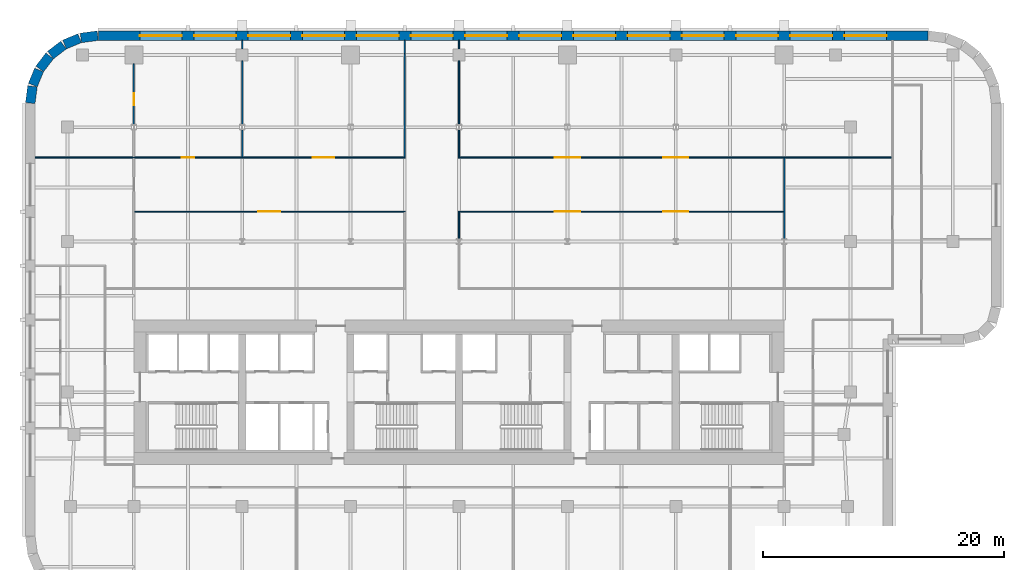
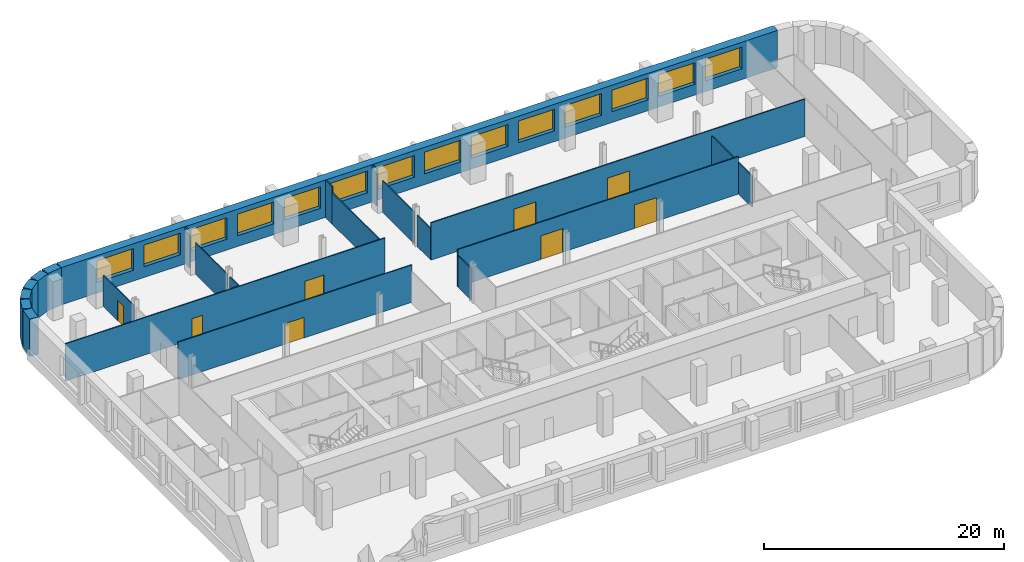
# One storey, part 6 of 10: 22 walls, 14 windows, 8 doors, 22 openings.
"""IFC4 building model written with IfcOpenShell, lengths in metres."""

from ifc_helpers import new_model, si_unit, direction, frame, frame_2d, origin, place, context, subcontext, project, spatial, rectangle, extrude, material, layer, layer_set, type_object, element, fill, save


model = new_model("IFC4")

# Units and contexts
model_context = context("Model", 3, precision=1e-05, world=origin(), true_north=direction((0.0, 1.0)))
body_context = subcontext(model_context, "Body", "Model", "MODEL_VIEW")
ifc_project = project(units=[si_unit("LENGTHUNIT", "METRE"), si_unit("AREAUNIT", "SQUARE_METRE"), si_unit("VOLUMEUNIT", "CUBIC_METRE"), si_unit("PLANEANGLEUNIT", "RADIAN"), si_unit("MASSUNIT", "GRAM", prefix="KILO")], contexts=[model_context])

# Site, building, storey
site_placement = place(None, origin())
site = spatial("IfcSite", under=ifc_project, at=site_placement, CompositionType="ELEMENT")
building_placement = place(site_placement, origin())
building = spatial("IfcBuilding", under=site, at=building_placement, Name="Zellij Exchange Tower", CompositionType="ELEMENT")
storey_placement = place(building_placement, frame((0.0, 0.0, 124.5)))
storey = spatial("IfcBuildingStorey", under=building, at=storey_placement, Name="L27", CompositionType="ELEMENT", Elevation=124.5)

# Wall, openings, windows
ifc_material_1 = material(Name="Precast concrete C40/50", Category="concrete")
ifc_layer_1 = layer(ifc_material_1, 0.800048828125)
ifc_layer_set_1 = layer_set([ifc_layer_1], Name="Precast concrete C40/50")
wall_type_1 = type_object("IfcWallType", Name="ENV-EW1 Precast stone-piered wall 800", PredefinedType="SOLIDWALL", material=ifc_layer_set_1)
wall_1_placement = place(storey_placement, frame((38.947509765625, 21.60009765625, 0.0), z_axis=(0.0, 0.0, 1.0), x_axis=(-1.0, 0.0, 0.0)))
wall_1 = element("IfcWall", 1, at=wall_1_placement, inside=storey, type_object=wall_type_1, Name="fac.L27.19", PredefinedType="SOLIDWALL", context=body_context, shape_type="SweptSolid", body=[
    extrude(rectangle(XDim=68.89501953125, YDim=0.800048828125, at=frame_2d((34.447509765625, 0.0))), origin(), (0.0, 0.0, 1.0), 3.800048828125),
])
opening_1_placement = place(wall_1_placement, frame((3.447509765625, 0.0, 1.10009765625)))
opening_1 = element("IfcOpeningElement", 2, at=opening_1_placement, cuts=wall_1, Name="Opening FZ2.17", PredefinedType="OPENING", context=body_context, shape_type="SweptSolid", body=[
    extrude(rectangle(XDim=3.5, YDim=2.199951171875, at=frame_2d((1.75, 1.10009765625))), frame((0.0, 0.412109375, 0.0), z_axis=(0.0, -1.0, 0.0), x_axis=(1.0, 0.0, 0.0)), (0.0, 0.0, 1.0), 0.823974609375),
])
opening_2_placement = place(wall_1_placement, frame((7.947509765625, 0.0, 1.10009765625)))
opening_2 = element("IfcOpeningElement", 3, at=opening_2_placement, cuts=wall_1, Name="Opening FZ2.18", PredefinedType="OPENING", context=body_context, shape_type="SweptSolid", body=[
    extrude(rectangle(XDim=3.5, YDim=2.199951171875, at=frame_2d((1.75, 1.10009765625))), frame((0.0, 0.412109375, 0.0), z_axis=(0.0, -1.0, 0.0), x_axis=(1.0, 0.0, 0.0)), (0.0, 0.0, 1.0), 0.823974609375),
])
opening_3_placement = place(wall_1_placement, frame((12.447509765625, 0.0, 1.10009765625)))
opening_3 = element("IfcOpeningElement", 4, at=opening_3_placement, cuts=wall_1, Name="Opening FZ2.19", PredefinedType="OPENING", context=body_context, shape_type="SweptSolid", body=[
    extrude(rectangle(XDim=3.5, YDim=2.199951171875, at=frame_2d((1.75, 1.10009765625))), frame((0.0, 0.412109375, 0.0), z_axis=(0.0, -1.0, 0.0), x_axis=(1.0, 0.0, 0.0)), (0.0, 0.0, 1.0), 0.823974609375),
])
opening_4_placement = place(wall_1_placement, frame((16.947509765625, 0.0, 1.10009765625)))
opening_4 = element("IfcOpeningElement", 5, at=opening_4_placement, cuts=wall_1, Name="Opening FZ2.20", PredefinedType="OPENING", context=body_context, shape_type="SweptSolid", body=[
    extrude(rectangle(XDim=3.5, YDim=2.199951171875, at=frame_2d((1.75, 1.10009765625))), frame((0.0, 0.412109375, 0.0), z_axis=(0.0, -1.0, 0.0), x_axis=(1.0, 0.0, 0.0)), (0.0, 0.0, 1.0), 0.823974609375),
])
opening_5_placement = place(wall_1_placement, frame((21.447509765625, 0.0, 1.10009765625)))
opening_5 = element("IfcOpeningElement", 6, at=opening_5_placement, cuts=wall_1, Name="Opening FZ2.21", PredefinedType="OPENING", context=body_context, shape_type="SweptSolid", body=[
    extrude(rectangle(XDim=3.5, YDim=2.199951171875, at=frame_2d((1.75, 1.10009765625))), frame((0.0, 0.412109375, 0.0), z_axis=(0.0, -1.0, 0.0), x_axis=(1.0, 0.0, 0.0)), (0.0, 0.0, 1.0), 0.823974609375),
])
opening_6_placement = place(wall_1_placement, frame((25.947509765625, 0.0, 1.10009765625)))
opening_6 = element("IfcOpeningElement", 7, at=opening_6_placement, cuts=wall_1, Name="Opening FZ2.22", PredefinedType="OPENING", context=body_context, shape_type="SweptSolid", body=[
    extrude(rectangle(XDim=3.5, YDim=2.199951171875, at=frame_2d((1.75, 1.10009765625))), frame((0.0, 0.412109375, 0.0), z_axis=(0.0, -1.0, 0.0), x_axis=(1.0, 0.0, 0.0)), (0.0, 0.0, 1.0), 0.823974609375),
])
opening_7_placement = place(wall_1_placement, frame((30.447509765625, 0.0, 1.10009765625)))
opening_7 = element("IfcOpeningElement", 8, at=opening_7_placement, cuts=wall_1, Name="Opening FZ2.23", PredefinedType="OPENING", context=body_context, shape_type="SweptSolid", body=[
    extrude(rectangle(XDim=3.5, YDim=2.199951171875, at=frame_2d((1.75, 1.10009765625))), frame((0.0, 0.412109375, 0.0), z_axis=(0.0, -1.0, 0.0), x_axis=(1.0, 0.0, 0.0)), (0.0, 0.0, 1.0), 0.823974609375),
])
opening_8_placement = place(wall_1_placement, frame((34.947509765625, 0.0, 1.10009765625)))
opening_8 = element("IfcOpeningElement", 9, at=opening_8_placement, cuts=wall_1, Name="Opening FZ2.24", PredefinedType="OPENING", context=body_context, shape_type="SweptSolid", body=[
    extrude(rectangle(XDim=3.5, YDim=2.199951171875, at=frame_2d((1.75, 1.10009765625))), frame((0.0, 0.412109375, 0.0), z_axis=(0.0, -1.0, 0.0), x_axis=(1.0, 0.0, 0.0)), (0.0, 0.0, 1.0), 0.823974609375),
])
opening_9_placement = place(wall_1_placement, frame((39.447509765625, 0.0, 1.10009765625)))
opening_9 = element("IfcOpeningElement", 10, at=opening_9_placement, cuts=wall_1, Name="Opening FZ2.25", PredefinedType="OPENING", context=body_context, shape_type="SweptSolid", body=[
    extrude(rectangle(XDim=3.5, YDim=2.199951171875, at=frame_2d((1.75, 1.10009765625))), frame((0.0, 0.412109375, 0.0), z_axis=(0.0, -1.0, 0.0), x_axis=(1.0, 0.0, 0.0)), (0.0, 0.0, 1.0), 0.823974609375),
])
opening_10_placement = place(wall_1_placement, frame((43.947509765625, 0.0, 1.10009765625)))
opening_10 = element("IfcOpeningElement", 11, at=opening_10_placement, cuts=wall_1, Name="Opening FZ2.26", PredefinedType="OPENING", context=body_context, shape_type="SweptSolid", body=[
    extrude(rectangle(XDim=3.5, YDim=2.199951171875, at=frame_2d((1.75, 1.10009765625))), frame((0.0, 0.412109375, 0.0), z_axis=(0.0, -1.0, 0.0), x_axis=(1.0, 0.0, 0.0)), (0.0, 0.0, 1.0), 0.823974609375),
])
opening_11_placement = place(wall_1_placement, frame((48.447509765625, 0.0, 1.10009765625)))
opening_11 = element("IfcOpeningElement", 12, at=opening_11_placement, cuts=wall_1, Name="Opening FZ2.27", PredefinedType="OPENING", context=body_context, shape_type="SweptSolid", body=[
    extrude(rectangle(XDim=3.5, YDim=2.199951171875, at=frame_2d((1.75, 1.10009765625))), frame((0.0, 0.412109375, 0.0), z_axis=(0.0, -1.0, 0.0), x_axis=(1.0, 0.0, 0.0)), (0.0, 0.0, 1.0), 0.823974609375),
])
opening_12_placement = place(wall_1_placement, frame((52.947509765625, 0.0, 1.10009765625)))
opening_12 = element("IfcOpeningElement", 13, at=opening_12_placement, cuts=wall_1, Name="Opening FZ2.28", PredefinedType="OPENING", context=body_context, shape_type="SweptSolid", body=[
    extrude(rectangle(XDim=3.5, YDim=2.199951171875, at=frame_2d((1.75, 1.10009765625))), frame((0.0, 0.412109375, 0.0), z_axis=(0.0, -1.0, 0.0), x_axis=(1.0, 0.0, 0.0)), (0.0, 0.0, 1.0), 0.823974609375),
])
opening_13_placement = place(wall_1_placement, frame((57.447509765625, 0.0, 1.10009765625)))
opening_13 = element("IfcOpeningElement", 14, at=opening_13_placement, cuts=wall_1, Name="Opening FZ2.29", PredefinedType="OPENING", context=body_context, shape_type="SweptSolid", body=[
    extrude(rectangle(XDim=3.5, YDim=2.199951171875, at=frame_2d((1.75, 1.10009765625))), frame((0.0, 0.412109375, 0.0), z_axis=(0.0, -1.0, 0.0), x_axis=(1.0, 0.0, 0.0)), (0.0, 0.0, 1.0), 0.823974609375),
])
opening_14_placement = place(wall_1_placement, frame((61.947509765625, 0.0, 1.10009765625)))
opening_14 = element("IfcOpeningElement", 15, at=opening_14_placement, cuts=wall_1, Name="Opening FZ2.30", PredefinedType="OPENING", context=body_context, shape_type="SweptSolid", body=[
    extrude(rectangle(XDim=3.5, YDim=2.199951171875, at=frame_2d((1.75, 1.10009765625))), frame((0.0, 0.412109375, 0.0), z_axis=(0.0, -1.0, 0.0), x_axis=(1.0, 0.0, 0.0)), (0.0, 0.0, 1.0), 0.823974609375),
])
ifc_material_2 = material(Name="Aluminium frame with insulating glass", Category="aluminium")
window_type = type_object("IfcWindowType", Name="ENV-W7 Window 3500x2200", PartitioningType="SINGLE_PANEL", PredefinedType="WINDOW", material=ifc_material_2)
window_1_placement = place(opening_1_placement, origin())
window_1 = element("IfcWindow", 16, at=window_1_placement, inside=storey, type_object=window_type, Name="Window FZ2.17", OverallHeight=2.199951171875, OverallWidth=3.5, PartitioningType="SINGLE_PANEL", PredefinedType="WINDOW", context=body_context, shape_type="SweptSolid", body=[
    extrude(rectangle(XDim=3.5, YDim=2.199951171875, at=frame_2d((1.75, 1.10009765625))), frame((0.0, 0.030029296875, 0.0), z_axis=(0.0, -1.0, 0.0), x_axis=(1.0, 0.0, 0.0)), (0.0, 0.0, 1.0), 0.06005859375),
])
fill(opening_1, window_1)
window_2_placement = place(opening_2_placement, origin())
window_2 = element("IfcWindow", 17, at=window_2_placement, inside=storey, type_object=window_type, Name="Window FZ2.18", OverallHeight=2.199951171875, OverallWidth=3.5, PartitioningType="SINGLE_PANEL", PredefinedType="WINDOW", context=body_context, shape_type="SweptSolid", body=[
    extrude(rectangle(XDim=3.5, YDim=2.199951171875, at=frame_2d((1.75, 1.10009765625))), frame((0.0, 0.030029296875, 0.0), z_axis=(0.0, -1.0, 0.0), x_axis=(1.0, 0.0, 0.0)), (0.0, 0.0, 1.0), 0.06005859375),
])
fill(opening_2, window_2)
window_3_placement = place(opening_3_placement, origin())
window_3 = element("IfcWindow", 18, at=window_3_placement, inside=storey, type_object=window_type, Name="Window FZ2.19", OverallHeight=2.199951171875, OverallWidth=3.5, PartitioningType="SINGLE_PANEL", PredefinedType="WINDOW", context=body_context, shape_type="SweptSolid", body=[
    extrude(rectangle(XDim=3.5, YDim=2.199951171875, at=frame_2d((1.75, 1.10009765625))), frame((0.0, 0.030029296875, 0.0), z_axis=(0.0, -1.0, 0.0), x_axis=(1.0, 0.0, 0.0)), (0.0, 0.0, 1.0), 0.06005859375),
])
fill(opening_3, window_3)
window_4_placement = place(opening_4_placement, origin())
window_4 = element("IfcWindow", 19, at=window_4_placement, inside=storey, type_object=window_type, Name="Window FZ2.20", OverallHeight=2.199951171875, OverallWidth=3.5, PartitioningType="SINGLE_PANEL", PredefinedType="WINDOW", context=body_context, shape_type="SweptSolid", body=[
    extrude(rectangle(XDim=3.5, YDim=2.199951171875, at=frame_2d((1.75, 1.10009765625))), frame((0.0, 0.030029296875, 0.0), z_axis=(0.0, -1.0, 0.0), x_axis=(1.0, 0.0, 0.0)), (0.0, 0.0, 1.0), 0.06005859375),
])
fill(opening_4, window_4)
window_5_placement = place(opening_5_placement, origin())
window_5 = element("IfcWindow", 20, at=window_5_placement, inside=storey, type_object=window_type, Name="Window FZ2.21", OverallHeight=2.199951171875, OverallWidth=3.5, PartitioningType="SINGLE_PANEL", PredefinedType="WINDOW", context=body_context, shape_type="SweptSolid", body=[
    extrude(rectangle(XDim=3.5, YDim=2.199951171875, at=frame_2d((1.75, 1.10009765625))), frame((0.0, 0.030029296875, 0.0), z_axis=(0.0, -1.0, 0.0), x_axis=(1.0, 0.0, 0.0)), (0.0, 0.0, 1.0), 0.06005859375),
])
fill(opening_5, window_5)
window_6_placement = place(opening_6_placement, origin())
window_6 = element("IfcWindow", 21, at=window_6_placement, inside=storey, type_object=window_type, Name="Window FZ2.22", OverallHeight=2.199951171875, OverallWidth=3.5, PartitioningType="SINGLE_PANEL", PredefinedType="WINDOW", context=body_context, shape_type="SweptSolid", body=[
    extrude(rectangle(XDim=3.5, YDim=2.199951171875, at=frame_2d((1.75, 1.10009765625))), frame((0.0, 0.030029296875, 0.0), z_axis=(0.0, -1.0, 0.0), x_axis=(1.0, 0.0, 0.0)), (0.0, 0.0, 1.0), 0.06005859375),
])
fill(opening_6, window_6)
window_7_placement = place(opening_7_placement, origin())
window_7 = element("IfcWindow", 22, at=window_7_placement, inside=storey, type_object=window_type, Name="Window FZ2.23", OverallHeight=2.199951171875, OverallWidth=3.5, PartitioningType="SINGLE_PANEL", PredefinedType="WINDOW", context=body_context, shape_type="SweptSolid", body=[
    extrude(rectangle(XDim=3.5, YDim=2.199951171875, at=frame_2d((1.75, 1.10009765625))), frame((0.0, 0.030029296875, 0.0), z_axis=(0.0, -1.0, 0.0), x_axis=(1.0, 0.0, 0.0)), (0.0, 0.0, 1.0), 0.06005859375),
])
fill(opening_7, window_7)
window_8_placement = place(opening_8_placement, origin())
window_8 = element("IfcWindow", 23, at=window_8_placement, inside=storey, type_object=window_type, Name="Window FZ2.24", OverallHeight=2.199951171875, OverallWidth=3.5, PartitioningType="SINGLE_PANEL", PredefinedType="WINDOW", context=body_context, shape_type="SweptSolid", body=[
    extrude(rectangle(XDim=3.5, YDim=2.199951171875, at=frame_2d((1.75, 1.10009765625))), frame((0.0, 0.030029296875, 0.0), z_axis=(0.0, -1.0, 0.0), x_axis=(1.0, 0.0, 0.0)), (0.0, 0.0, 1.0), 0.06005859375),
])
fill(opening_8, window_8)
window_9_placement = place(opening_9_placement, origin())
window_9 = element("IfcWindow", 24, at=window_9_placement, inside=storey, type_object=window_type, Name="Window FZ2.25", OverallHeight=2.199951171875, OverallWidth=3.5, PartitioningType="SINGLE_PANEL", PredefinedType="WINDOW", context=body_context, shape_type="SweptSolid", body=[
    extrude(rectangle(XDim=3.5, YDim=2.199951171875, at=frame_2d((1.75, 1.10009765625))), frame((0.0, 0.030029296875, 0.0), z_axis=(0.0, -1.0, 0.0), x_axis=(1.0, 0.0, 0.0)), (0.0, 0.0, 1.0), 0.06005859375),
])
fill(opening_9, window_9)
window_10_placement = place(opening_10_placement, origin())
window_10 = element("IfcWindow", 25, at=window_10_placement, inside=storey, type_object=window_type, Name="Window FZ2.26", OverallHeight=2.199951171875, OverallWidth=3.5, PartitioningType="SINGLE_PANEL", PredefinedType="WINDOW", context=body_context, shape_type="SweptSolid", body=[
    extrude(rectangle(XDim=3.5, YDim=2.199951171875, at=frame_2d((1.75, 1.10009765625))), frame((0.0, 0.030029296875, 0.0), z_axis=(0.0, -1.0, 0.0), x_axis=(1.0, 0.0, 0.0)), (0.0, 0.0, 1.0), 0.06005859375),
])
fill(opening_10, window_10)
window_11_placement = place(opening_11_placement, origin())
window_11 = element("IfcWindow", 26, at=window_11_placement, inside=storey, type_object=window_type, Name="Window FZ2.27", OverallHeight=2.199951171875, OverallWidth=3.5, PartitioningType="SINGLE_PANEL", PredefinedType="WINDOW", context=body_context, shape_type="SweptSolid", body=[
    extrude(rectangle(XDim=3.5, YDim=2.199951171875, at=frame_2d((1.75, 1.10009765625))), frame((0.0, 0.030029296875, 0.0), z_axis=(0.0, -1.0, 0.0), x_axis=(1.0, 0.0, 0.0)), (0.0, 0.0, 1.0), 0.06005859375),
])
fill(opening_11, window_11)
window_12_placement = place(opening_12_placement, origin())
window_12 = element("IfcWindow", 27, at=window_12_placement, inside=storey, type_object=window_type, Name="Window FZ2.28", OverallHeight=2.199951171875, OverallWidth=3.5, PartitioningType="SINGLE_PANEL", PredefinedType="WINDOW", context=body_context, shape_type="SweptSolid", body=[
    extrude(rectangle(XDim=3.5, YDim=2.199951171875, at=frame_2d((1.75, 1.10009765625))), frame((0.0, 0.030029296875, 0.0), z_axis=(0.0, -1.0, 0.0), x_axis=(1.0, 0.0, 0.0)), (0.0, 0.0, 1.0), 0.06005859375),
])
fill(opening_12, window_12)
window_13_placement = place(opening_13_placement, origin())
window_13 = element("IfcWindow", 28, at=window_13_placement, inside=storey, type_object=window_type, Name="Window FZ2.29", OverallHeight=2.199951171875, OverallWidth=3.5, PartitioningType="SINGLE_PANEL", PredefinedType="WINDOW", context=body_context, shape_type="SweptSolid", body=[
    extrude(rectangle(XDim=3.5, YDim=2.199951171875, at=frame_2d((1.75, 1.10009765625))), frame((0.0, 0.030029296875, 0.0), z_axis=(0.0, -1.0, 0.0), x_axis=(1.0, 0.0, 0.0)), (0.0, 0.0, 1.0), 0.06005859375),
])
fill(opening_13, window_13)
window_14_placement = place(opening_14_placement, origin())
window_14 = element("IfcWindow", 29, at=window_14_placement, inside=storey, type_object=window_type, Name="Window FZ2.30", OverallHeight=2.199951171875, OverallWidth=3.5, PartitioningType="SINGLE_PANEL", PredefinedType="WINDOW", context=body_context, shape_type="SweptSolid", body=[
    extrude(rectangle(XDim=3.5, YDim=2.199951171875, at=frame_2d((1.75, 1.10009765625))), frame((0.0, 0.030029296875, 0.0), z_axis=(0.0, -1.0, 0.0), x_axis=(1.0, 0.0, 0.0)), (0.0, 0.0, 1.0), 0.06005859375),
])
fill(opening_14, window_14)

# Walls
wall_2_placement = place(storey_placement, frame((-29.999755859375, 21.5966796875, 0.0), z_axis=(0.0, 0.0, 1.0), x_axis=(-0.99144603414, -0.130517283865, 0.0)))
element("IfcWall", 30, at=wall_2_placement, inside=storey, type_object=wall_type_1, Name="fac.L27.20", PredefinedType="SOLIDWALL", context=body_context, shape_type="SweptSolid", body=[
    extrude(rectangle(XDim=1.408447265625, YDim=0.800048828125, at=frame_2d((0.7041015625, 0.0))), origin(), (0.0, 0.0, 1.0), 3.800048828125),
])
wall_3_placement = place(storey_placement, frame((-31.497314453125, 21.3857421875, 0.0), z_axis=(0.0, 0.0, 1.0), x_axis=(-0.923847774587, -0.38276009378, 0.0)))
element("IfcWall", 31, at=wall_3_placement, inside=storey, type_object=wall_type_1, Name="fac.L27.21", PredefinedType="SOLIDWALL", context=body_context, shape_type="SweptSolid", body=[
    extrude(rectangle(XDim=1.35546875, YDim=0.800048828125, at=frame_2d((0.677734375, 0.0))), origin(), (0.0, 0.0, 1.0), 3.800048828125),
])
for number, where, z_axis, x_axis, name in (
    (32, (-32.840087890625, 20.814697265625, 0.0), (0.0, 0.0, 1.0), (-0.793272915452, -0.608866226366, 0.0), "fac.L27.22"),
    (33, (-33.9892578125, 19.91552734375, 0.0), (0.0, 0.0, 1.0), (-0.608866226366, -0.793272915452, 0.0), "fac.L27.23"),
):
    element("IfcWall", number, at=place(storey_placement, frame(where, z_axis=z_axis, x_axis=x_axis)), inside=storey, type_object=wall_type_1, Name=name, PredefinedType="SOLIDWALL", context=body_context, shape_type="SweptSolid", body=[
        extrude(rectangle(XDim=1.355712890625, YDim=0.800048828125, at=frame_2d((0.677734375, 0.0))), origin(), (0.0, 0.0, 1.0), 3.800048828125),
    ])
wall_4_placement = place(storey_placement, frame((-34.866943359375, 18.74951171875, 0.0), z_axis=(0.0, 0.0, 1.0), x_axis=(-0.38276009378, -0.923847774587, 0.0)))
element("IfcWall", 34, at=wall_4_placement, inside=storey, type_object=wall_type_1, Name="fac.L27.24", PredefinedType="SOLIDWALL", context=body_context, shape_type="SweptSolid", body=[
    extrude(rectangle(XDim=1.35546875, YDim=0.800048828125, at=frame_2d((0.677734375, 0.0))), origin(), (0.0, 0.0, 1.0), 3.800048828125),
])
wall_5_placement = place(storey_placement, frame((-35.412841796875, 17.396240234375, 0.0), z_axis=(0.0, 0.0, 1.0), x_axis=(-0.130517283865, -0.99144603414, 0.0)))
element("IfcWall", 35, at=wall_5_placement, inside=storey, type_object=wall_type_1, Name="fac.L27.25", PredefinedType="SOLIDWALL", context=body_context, shape_type="SweptSolid", body=[
    extrude(rectangle(XDim=1.408447265625, YDim=0.800048828125, at=frame_2d((0.7041015625, 0.0))), origin(), (0.0, 0.0, 1.0), 3.800048828125),
])
ifc_material_3 = material(Name="Gypsum board partition on steel studs", Category="steel")
ifc_layer_2 = layer(ifc_material_3, 0.10009765625)
ifc_layer_set_2 = layer_set([ifc_layer_2], Name="Gypsum board partition on steel studs")
wall_type_2 = type_object("IfcWallType", Name="FIT-PARTITION-100", PredefinedType="PARTITIONING", material=ifc_layer_set_2)
wall_6_placement = place(storey_placement, frame((0.0, 4.727294921875, 0.0), z_axis=(0.0, 0.0, 1.0), x_axis=(0.0, 1.0, 0.0)))
element("IfcWall", 36, at=wall_6_placement, inside=storey, type_object=wall_type_2, Name="FIT-PARTITION-100 029", PredefinedType="PARTITIONING", context=body_context, shape_type="SweptSolid", body=[
    extrude(rectangle(XDim=2.212646484375, YDim=0.10009765625, at=frame_2d((1.1064453125, 0.0))), origin(), (0.0, 0.0, 1.0), 3.18798828125),
])
wall_7_placement = place(storey_placement, frame((27.0, 4.727294921875, 0.0), z_axis=(0.0, 0.0, 1.0), x_axis=(0.0, 1.0, 0.0)))
element("IfcWall", 37, at=wall_7_placement, inside=storey, type_object=wall_type_2, Name="FIT-PARTITION-100 031", PredefinedType="PARTITIONING", context=body_context, shape_type="SweptSolid", body=[
    extrude(rectangle(XDim=6.70263671875, YDim=0.10009765625, at=frame_2d((3.351318359375, 0.0))), origin(), (0.0, 0.0, 1.0), 3.18798828125),
])

# Wall, opening, door
wall_8_placement = place(storey_placement, frame((-26.949951171875, 6.989990234375, 0.0), z_axis=(0.0, 0.0, 1.0), x_axis=(1.0, 0.0, 0.0)))
wall_8 = element("IfcWall", 38, at=wall_8_placement, inside=storey, type_object=wall_type_2, Name="FIT-PARTITION-100 036", PredefinedType="PARTITIONING", context=body_context, shape_type="SweptSolid", body=[
    extrude(rectangle(XDim=22.5, YDim=0.10009765625, at=frame_2d((11.25, 0.0))), origin(), (0.0, 0.0, 1.0), 3.800048828125),
])
opening_15_placement = place(wall_8_placement, frame((10.300048828125, 0.0, 0.0)))
opening_15 = element("IfcOpeningElement", 39, at=opening_15_placement, cuts=wall_8, Name="Opening TF.12", PredefinedType="OPENING", context=body_context, shape_type="SweptSolid", body=[
    extrude(rectangle(XDim=1.800048828125, YDim=2.10009765625, at=frame_2d((0.89990234375, 1.050048828125))), frame((0.0, 0.06201171875, 0.0), z_axis=(0.0, -1.0, 0.0), x_axis=(1.0, 0.0, 0.0)), (0.0, 0.0, 1.0), 0.1240234375),
])
ifc_material_4 = material(Name="Timber door set", Category="wood")
door_type_1 = type_object("IfcDoorType", Name="FIT-D3-DOUBLE-1800X2100", OperationType="DOUBLE_DOOR_SINGLE_SWING", PredefinedType="DOOR", material=ifc_material_4)
door_1_placement = place(opening_15_placement, origin())
door_1 = element("IfcDoor", 40, at=door_1_placement, inside=storey, type_object=door_type_1, Name="Door TF.12", OperationType="DOUBLE_DOOR_SINGLE_SWING", OverallHeight=2.10009765625, OverallWidth=1.800048828125, PredefinedType="DOOR", context=body_context, shape_type="SweptSolid", body=[
    extrude(rectangle(XDim=1.800048828125, YDim=2.10009765625, at=frame_2d((0.89990234375, 1.050048828125))), frame((0.0, 0.02490234375, 0.0), z_axis=(0.0, -1.0, 0.0), x_axis=(1.0, 0.0, 0.0)), (0.0, 0.0, 1.0), 0.050048828125),
])
fill(opening_15, door_1)

# Wall, openings, doors
wall_9_placement = place(storey_placement, frame((-0.050048828125, 6.989990234375, 0.0), z_axis=(0.0, 0.0, 1.0), x_axis=(1.0, 0.0, 0.0)))
wall_9 = element("IfcWall", 41, at=wall_9_placement, inside=storey, type_object=wall_type_2, Name="FIT-PARTITION-100 037", PredefinedType="PARTITIONING", context=body_context, shape_type="SweptSolid", body=[
    extrude(rectangle(XDim=27.0, YDim=0.10009765625, at=frame_2d((13.5, 0.0))), origin(), (0.0, 0.0, 1.0), 3.800048828125),
])
opening_16_placement = place(wall_9_placement, frame((8.0, 0.0, 0.0)))
opening_16 = element("IfcOpeningElement", 42, at=opening_16_placement, cuts=wall_9, Name="Opening TF.13", PredefinedType="OPENING", context=body_context, shape_type="SweptSolid", body=[
    extrude(rectangle(XDim=2.10009765625, YDim=2.39990234375, at=frame_2d((1.050048828125, 1.199951171875))), frame((0.0, 0.06201171875, 0.0), z_axis=(0.0, -1.0, 0.0), x_axis=(1.0, 0.0, 0.0)), (0.0, 0.0, 1.0), 0.1240234375),
])
opening_17_placement = place(wall_9_placement, frame((17.0, 0.0, 0.0)))
opening_17 = element("IfcOpeningElement", 43, at=opening_17_placement, cuts=wall_9, Name="Opening TF.14", PredefinedType="OPENING", context=body_context, shape_type="SweptSolid", body=[
    extrude(rectangle(XDim=2.10009765625, YDim=2.39990234375, at=frame_2d((1.050048828125, 1.199951171875))), frame((0.0, 0.06201171875, 0.0), z_axis=(0.0, -1.0, 0.0), x_axis=(1.0, 0.0, 0.0)), (0.0, 0.0, 1.0), 0.1240234375),
])
door_type_2 = type_object("IfcDoorType", Name="FIT-D7-ASSEMBLY-2100X2400", OperationType="DOUBLE_DOOR_SINGLE_SWING", PredefinedType="DOOR", material=ifc_material_4)
door_2_placement = place(opening_16_placement, origin())
door_2 = element("IfcDoor", 44, at=door_2_placement, inside=storey, type_object=door_type_2, Name="Door TF.13", OperationType="DOUBLE_DOOR_SINGLE_SWING", OverallHeight=2.39990234375, OverallWidth=2.10009765625, PredefinedType="DOOR", context=body_context, shape_type="SweptSolid", body=[
    extrude(rectangle(XDim=2.10009765625, YDim=2.39990234375, at=frame_2d((1.050048828125, 1.199951171875))), frame((0.0, 0.02490234375, 0.0), z_axis=(0.0, -1.0, 0.0), x_axis=(1.0, 0.0, 0.0)), (0.0, 0.0, 1.0), 0.050048828125),
])
fill(opening_16, door_2)
door_3_placement = place(opening_17_placement, origin())
door_3 = element("IfcDoor", 45, at=door_3_placement, inside=storey, type_object=door_type_2, Name="Door TF.14", OperationType="DOUBLE_DOOR_SINGLE_SWING", OverallHeight=2.39990234375, OverallWidth=2.10009765625, PredefinedType="DOOR", context=body_context, shape_type="SweptSolid", body=[
    extrude(rectangle(XDim=2.10009765625, YDim=2.39990234375, at=frame_2d((1.050048828125, 1.199951171875))), frame((0.0, 0.02490234375, 0.0), z_axis=(0.0, -1.0, 0.0), x_axis=(1.0, 0.0, 0.0)), (0.0, 0.0, 1.0), 0.050048828125),
])
fill(opening_17, door_3)

wall_10_placement = place(storey_placement, frame((-35.199951171875, 11.47998046875, 0.0), z_axis=(0.0, 0.0, 1.0), x_axis=(1.0, 0.0, 0.0)))
wall_10 = element("IfcWall", 46, at=wall_10_placement, inside=storey, type_object=wall_type_2, Name="FIT-PARTITION-100 038", PredefinedType="PARTITIONING", context=body_context, shape_type="SweptSolid", body=[
    extrude(rectangle(XDim=30.75, YDim=0.10009765625, at=frame_2d((15.375, 0.0))), origin(), (0.0, 0.0, 1.0), 3.800048828125),
])
opening_18_placement = place(wall_10_placement, frame((12.199951171875, 0.0, 0.0)))
opening_18 = element("IfcOpeningElement", 47, at=opening_18_placement, cuts=wall_10, Name="Opening TF.17", PredefinedType="OPENING", context=body_context, shape_type="SweptSolid", body=[
    extrude(rectangle(XDim=1.0, YDim=2.10009765625, at=frame_2d((0.5, 1.050048828125))), frame((0.0, 0.06201171875, 0.0), z_axis=(0.0, -1.0, 0.0), x_axis=(1.0, 0.0, 0.0)), (0.0, 0.0, 1.0), 0.1240234375),
])
opening_19_placement = place(wall_10_placement, frame((23.050048828125, 0.0, 0.0)))
opening_19 = element("IfcOpeningElement", 48, at=opening_19_placement, cuts=wall_10, Name="Opening TF.18", PredefinedType="OPENING", context=body_context, shape_type="SweptSolid", body=[
    extrude(rectangle(XDim=1.800048828125, YDim=2.10009765625, at=frame_2d((0.89990234375, 1.050048828125))), frame((0.0, 0.06201171875, 0.0), z_axis=(0.0, -1.0, 0.0), x_axis=(1.0, 0.0, 0.0)), (0.0, 0.0, 1.0), 0.1240234375),
])
door_type_3 = type_object("IfcDoorType", Name="FIT-D2-WIDE-1000X2100", OperationType="SINGLE_SWING_LEFT", PredefinedType="DOOR", material=ifc_material_4)
door_4_placement = place(opening_18_placement, origin())
door_4 = element("IfcDoor", 49, at=door_4_placement, inside=storey, type_object=door_type_3, Name="Door TF.17", OperationType="SINGLE_SWING_RIGHT", OverallHeight=2.10009765625, OverallWidth=1.0, PredefinedType="DOOR", context=body_context, shape_type="SweptSolid", body=[
    extrude(rectangle(XDim=1.0, YDim=2.10009765625, at=frame_2d((0.5, 1.050048828125))), frame((0.0, 0.02490234375, 0.0), z_axis=(0.0, -1.0, 0.0), x_axis=(1.0, 0.0, 0.0)), (0.0, 0.0, 1.0), 0.050048828125),
])
fill(opening_18, door_4)
door_5_placement = place(opening_19_placement, origin())
door_5 = element("IfcDoor", 50, at=door_5_placement, inside=storey, type_object=door_type_1, Name="Door TF.18", OperationType="DOUBLE_DOOR_SINGLE_SWING", OverallHeight=2.10009765625, OverallWidth=1.800048828125, PredefinedType="DOOR", context=body_context, shape_type="SweptSolid", body=[
    extrude(rectangle(XDim=1.800048828125, YDim=2.10009765625, at=frame_2d((0.89990234375, 1.050048828125))), frame((0.0, 0.02490234375, 0.0), z_axis=(0.0, -1.0, 0.0), x_axis=(1.0, 0.0, 0.0)), (0.0, 0.0, 1.0), 0.050048828125),
])
fill(opening_19, door_5)

# Wall, opening, door
wall_11_placement = place(storey_placement, frame((-27.0, 14.227294921875, 0.0), z_axis=(0.0, 0.0, 1.0), x_axis=(0.0, 1.0, 0.0)))
wall_11 = element("IfcWall", 51, at=wall_11_placement, inside=storey, type_object=wall_type_2, Name="FIT-PARTITION-100 040", PredefinedType="PARTITIONING", context=body_context, shape_type="SweptSolid", body=[
    extrude(rectangle(XDim=5.022705078125, YDim=0.10009765625, at=frame_2d((2.51123046875, 0.0))), origin(), (0.0, 0.0, 1.0), 3.18798828125),
])
opening_20_placement = place(wall_11_placement, frame((1.602783203125, 0.0, 0.0)))
opening_20 = element("IfcOpeningElement", 52, at=opening_20_placement, cuts=wall_11, Name="Opening TF.21", PredefinedType="OPENING", context=body_context, shape_type="SweptSolid", body=[
    extrude(rectangle(XDim=1.0, YDim=2.10009765625, at=frame_2d((0.5, 1.050048828125))), frame((0.0, 0.06201171875, 0.0), z_axis=(0.0, -1.0, 0.0), x_axis=(1.0, 0.0, 0.0)), (0.0, 0.0, 1.0), 0.1240234375),
])
door_6_placement = place(opening_20_placement, origin())
door_6 = element("IfcDoor", 53, at=door_6_placement, inside=storey, type_object=door_type_3, Name="Door TF.21", OperationType="SINGLE_SWING_RIGHT", OverallHeight=2.10009765625, OverallWidth=1.0, PredefinedType="DOOR", context=body_context, shape_type="SweptSolid", body=[
    extrude(rectangle(XDim=1.0, YDim=2.10009765625, at=frame_2d((0.5, 1.050048828125))), frame((0.0, 0.02490234375, 0.0), z_axis=(0.0, -1.0, 0.0), x_axis=(1.0, 0.0, 0.0)), (0.0, 0.0, 1.0), 0.050048828125),
])
fill(opening_20, door_6)

# Walls
wall_12_placement = place(storey_placement, frame((-18.0, 11.530029296875, 0.0), z_axis=(0.0, 0.0, 1.0), x_axis=(0.0, 1.0, 0.0)))
element("IfcWall", 54, at=wall_12_placement, inside=storey, type_object=wall_type_2, Name="FIT-PARTITION-100 041", PredefinedType="PARTITIONING", context=body_context, shape_type="SweptSolid", body=[
    extrude(rectangle(XDim=2.24267578125, YDim=0.10009765625, at=frame_2d((1.121337890625, 0.0))), origin(), (0.0, 0.0, 1.0), 3.18798828125),
])
wall_13_placement = place(storey_placement, frame((-18.0, 14.227294921875, 0.0), z_axis=(0.0, 0.0, 1.0), x_axis=(0.0, 1.0, 0.0)))
element("IfcWall", 55, at=wall_13_placement, inside=storey, type_object=wall_type_2, Name="FIT-PARTITION-100 042", PredefinedType="PARTITIONING", context=body_context, shape_type="SweptSolid", body=[
    extrude(rectangle(XDim=5.272705078125, YDim=0.10009765625, at=frame_2d((2.63623046875, 0.0))), origin(), (0.0, 0.0, 1.0), 3.18798828125),
])
wall_14_placement = place(storey_placement, frame((-18.0, 20.5, 0.0), z_axis=(0.0, 0.0, 1.0), x_axis=(0.0, 1.0, 0.0)))
element("IfcWall", 56, at=wall_14_placement, inside=storey, type_object=wall_type_2, Name="FIT-PARTITION-100 043", PredefinedType="PARTITIONING", context=body_context, shape_type="SweptSolid", body=[
    extrude(rectangle(XDim=0.699951171875, YDim=0.10009765625, at=frame_2d((0.35009765625, 0.0))), origin(), (0.0, 0.0, 1.0), 3.800048828125),
])
wall_15_placement = place(storey_placement, frame((-4.5, 11.530029296875, 0.0), z_axis=(0.0, 0.0, 1.0), x_axis=(0.0, 1.0, 0.0)))
element("IfcWall", 57, at=wall_15_placement, inside=storey, type_object=wall_type_2, Name="FIT-PARTITION-100 044", PredefinedType="PARTITIONING", context=body_context, shape_type="SweptSolid", body=[
    extrude(rectangle(XDim=8.58447265625, YDim=0.10009765625, at=frame_2d((4.292236328125, 0.0))), origin(), (0.0, 0.0, 1.0), 3.197998046875),
])
wall_16_placement = place(storey_placement, frame((-4.5, 20.114501953125, 0.0), z_axis=(0.0, 0.0, 1.0), x_axis=(0.0, 1.0, 0.0)))
element("IfcWall", 58, at=wall_16_placement, inside=storey, type_object=wall_type_2, Name="FIT-PARTITION-100 045", PredefinedType="PARTITIONING", context=body_context, shape_type="SweptSolid", body=[
    extrude(rectangle(XDim=1.08544921875, YDim=0.10009765625, at=frame_2d((0.542724609375, 0.0))), origin(), (0.0, 0.0, 1.0), 3.800048828125),
])

# Wall, openings, doors
wall_17_placement = place(storey_placement, frame((-0.050048828125, 11.47998046875, 0.0), z_axis=(0.0, 0.0, 1.0), x_axis=(1.0, 0.0, 0.0)))
wall_17 = element("IfcWall", 59, at=wall_17_placement, inside=storey, type_object=wall_type_2, Name="FIT-PARTITION-100 046", PredefinedType="PARTITIONING", context=body_context, shape_type="SweptSolid", body=[
    extrude(rectangle(XDim=36.0, YDim=0.10009765625, at=frame_2d((18.0, 0.0))), origin(), (0.0, 0.0, 1.0), 3.800048828125),
])
opening_21_placement = place(wall_17_placement, frame((8.0, 0.0, 0.0)))
opening_21 = element("IfcOpeningElement", 60, at=opening_21_placement, cuts=wall_17, Name="Opening TF.19", PredefinedType="OPENING", context=body_context, shape_type="SweptSolid", body=[
    extrude(rectangle(XDim=2.10009765625, YDim=2.39990234375, at=frame_2d((1.050048828125, 1.199951171875))), frame((0.0, 0.06201171875, 0.0), z_axis=(0.0, -1.0, 0.0), x_axis=(1.0, 0.0, 0.0)), (0.0, 0.0, 1.0), 0.1240234375),
])
opening_22_placement = place(wall_17_placement, frame((17.0, 0.0, 0.0)))
opening_22 = element("IfcOpeningElement", 61, at=opening_22_placement, cuts=wall_17, Name="Opening TF.20", PredefinedType="OPENING", context=body_context, shape_type="SweptSolid", body=[
    extrude(rectangle(XDim=2.10009765625, YDim=2.39990234375, at=frame_2d((1.050048828125, 1.199951171875))), frame((0.0, 0.06201171875, 0.0), z_axis=(0.0, -1.0, 0.0), x_axis=(1.0, 0.0, 0.0)), (0.0, 0.0, 1.0), 0.1240234375),
])
door_7_placement = place(opening_21_placement, origin())
door_7 = element("IfcDoor", 62, at=door_7_placement, inside=storey, type_object=door_type_2, Name="Door TF.19", OperationType="DOUBLE_DOOR_SINGLE_SWING", OverallHeight=2.39990234375, OverallWidth=2.10009765625, PredefinedType="DOOR", context=body_context, shape_type="SweptSolid", body=[
    extrude(rectangle(XDim=2.10009765625, YDim=2.39990234375, at=frame_2d((1.050048828125, 1.199951171875))), frame((0.0, 0.02490234375, 0.0), z_axis=(0.0, -1.0, 0.0), x_axis=(1.0, 0.0, 0.0)), (0.0, 0.0, 1.0), 0.050048828125),
])
fill(opening_21, door_7)
door_8_placement = place(opening_22_placement, origin())
door_8 = element("IfcDoor", 63, at=door_8_placement, inside=storey, type_object=door_type_2, Name="Door TF.20", OperationType="DOUBLE_DOOR_SINGLE_SWING", OverallHeight=2.39990234375, OverallWidth=2.10009765625, PredefinedType="DOOR", context=body_context, shape_type="SweptSolid", body=[
    extrude(rectangle(XDim=2.10009765625, YDim=2.39990234375, at=frame_2d((1.050048828125, 1.199951171875))), frame((0.0, 0.02490234375, 0.0), z_axis=(0.0, -1.0, 0.0), x_axis=(1.0, 0.0, 0.0)), (0.0, 0.0, 1.0), 0.050048828125),
])
fill(opening_22, door_8)

# Walls
wall_18_placement = place(storey_placement, frame((0.0, 11.530029296875, 0.0), z_axis=(0.0, 0.0, 1.0), x_axis=(0.0, 1.0, 0.0)))
element("IfcWall", 64, at=wall_18_placement, inside=storey, type_object=wall_type_2, Name="FIT-PARTITION-100 047", PredefinedType="PARTITIONING", context=body_context, shape_type="SweptSolid", body=[
    extrude(rectangle(XDim=2.24267578125, YDim=0.10009765625, at=frame_2d((1.121337890625, 0.0))), origin(), (0.0, 0.0, 1.0), 3.18798828125),
])
wall_19_placement = place(storey_placement, frame((0.0, 14.227294921875, 0.0), z_axis=(0.0, 0.0, 1.0), x_axis=(0.0, 1.0, 0.0)))
element("IfcWall", 65, at=wall_19_placement, inside=storey, type_object=wall_type_2, Name="FIT-PARTITION-100 048", PredefinedType="PARTITIONING", context=body_context, shape_type="SweptSolid", body=[
    extrude(rectangle(XDim=5.272705078125, YDim=0.10009765625, at=frame_2d((2.63623046875, 0.0))), origin(), (0.0, 0.0, 1.0), 3.18798828125),
])
wall_20_placement = place(storey_placement, frame((0.0, 20.5, 0.0), z_axis=(0.0, 0.0, 1.0), x_axis=(0.0, 1.0, 0.0)))
element("IfcWall", 66, at=wall_20_placement, inside=storey, type_object=wall_type_2, Name="FIT-PARTITION-100 049", PredefinedType="PARTITIONING", context=body_context, shape_type="SweptSolid", body=[
    extrude(rectangle(XDim=0.699951171875, YDim=0.10009765625, at=frame_2d((0.35009765625, 0.0))), origin(), (0.0, 0.0, 1.0), 3.800048828125),
])

save(model, "model.ifc")
